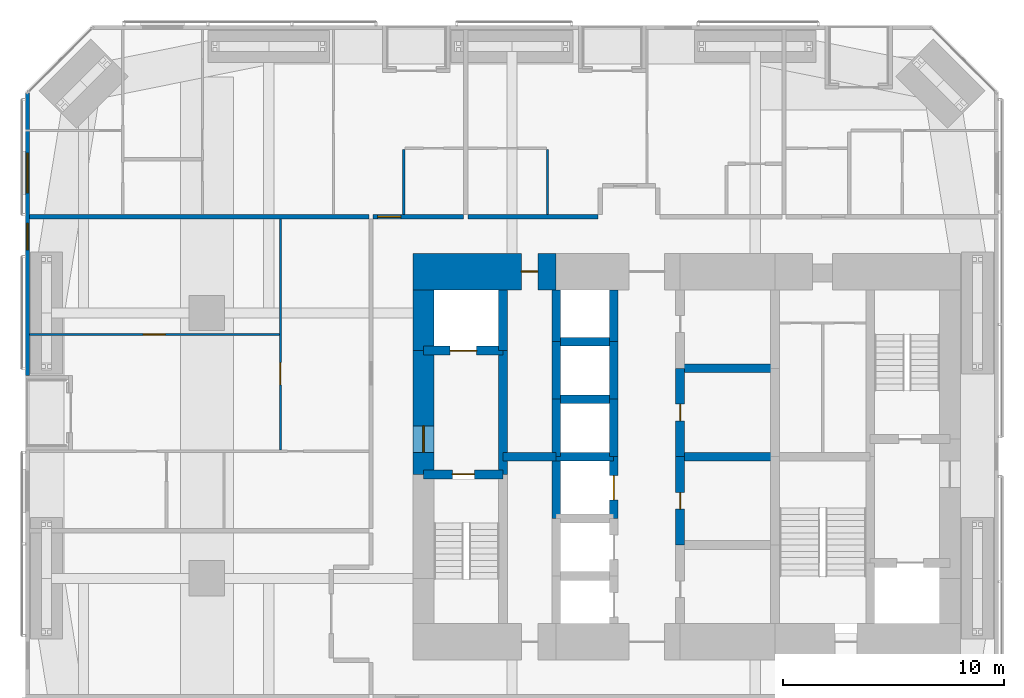
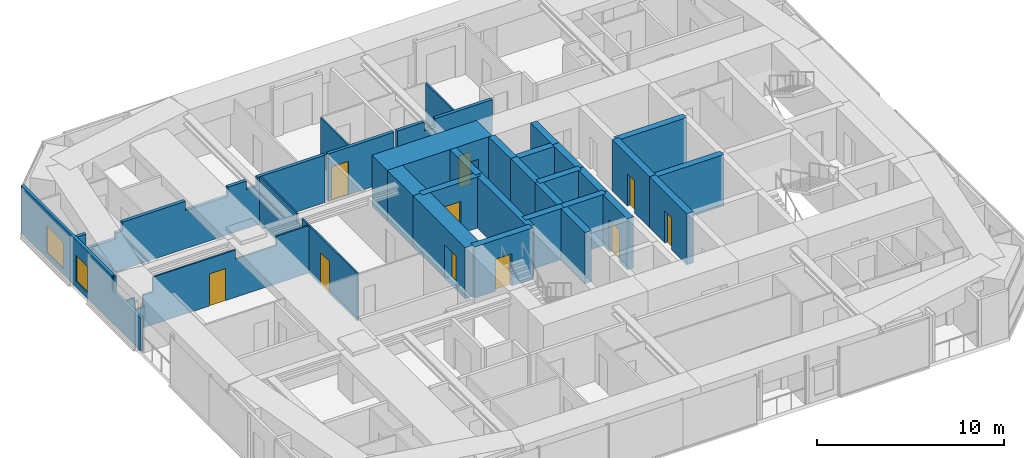
# One storey, part 19 of 24: 31 walls, 10 doors, 2 windows, 12 openings.
"""IFC4 building model written with IfcOpenShell, lengths in metres."""

from ifc_helpers import new_model, si_unit, direction, frame, frame_2d, origin, place, context, subcontext, project, spatial, polyline, rectangle, outline, extrude, material, layer, layer_set, constituent, constituent_set, type_object, element, fill, save


model = new_model("IFC4")

# Units and contexts
model_context = context("Model", 3, precision=1e-05, world=origin(), true_north=direction((0.0, 1.0)))
body_context = subcontext(model_context, "Body", "Model", "MODEL_VIEW")
ifc_project = project(units=[si_unit("LENGTHUNIT", "METRE"), si_unit("AREAUNIT", "SQUARE_METRE"), si_unit("VOLUMEUNIT", "CUBIC_METRE"), si_unit("PLANEANGLEUNIT", "RADIAN"), si_unit("MASSUNIT", "GRAM", prefix="KILO")], contexts=[model_context])

# Site, building, storey
site_placement = place(None, origin())
site = spatial("IfcSite", under=ifc_project, at=site_placement, CompositionType="ELEMENT")
building_placement = place(site_placement, origin())
building = spatial("IfcBuilding", under=site, at=building_placement, Name="Jalousie Tower", CompositionType="ELEMENT")
storey_placement = place(building_placement, frame((0.0, 0.0, 47.800048828125)))
storey = spatial("IfcBuildingStorey", under=building, at=storey_placement, Name="L12", CompositionType="ELEMENT", Elevation=47.800048828125)

# Wall, opening, door
ifc_material_1 = material(Name="Concrete f'c 120 MPa", Category="concrete")
ifc_layer_1 = layer(ifc_material_1, 1.64990234375)
ifc_layer_set_1 = layer_set([ifc_layer_1], Name="Concrete f'c 120 MPa")
wall_type_1 = type_object("IfcWallType", Name="CORE WALL 1650", PredefinedType="SHEAR", material=ifc_layer_set_1)
wall_1_placement = place(storey_placement, frame((26.0, 26.875, 0.0), z_axis=(0.0, 0.0, 1.0), x_axis=(-1.0, 0.0, 0.0)))
wall_1 = element("IfcWall", 1, at=wall_1_placement, inside=storey, type_object=wall_type_1, Name="Core wall ND L12", PredefinedType="SHEAR", context=body_context, shape_type="SweptSolid", body=[
    extrude(rectangle(XDim=6.47509765625, YDim=1.64990234375, at=frame_2d((3.237548828125, 0.0))), origin(), (0.0, 0.0, 1.0), 3.349853515625),
])
opening_1_placement = place(wall_1_placement, frame((0.824951171875, 0.0, 0.0)))
opening_1 = element("IfcOpeningElement", 2, at=opening_1_placement, cuts=wall_1, Name="Opening D16", PredefinedType="OPENING", context=body_context, shape_type="SweptSolid", body=[
    extrude(rectangle(XDim=0.75, YDim=2.10009765625, at=frame_2d((0.375, 1.050048828125))), frame((0.0, 0.8349609375, 0.0), z_axis=(0.0, -1.0, 0.0), x_axis=(1.0, 0.0, 0.0)), (0.0, 0.0, 1.0), 1.669921875),
])
ifc_material_2 = material(Name="Steel fire door", Category="steel")
door_type_1 = type_object("IfcDoorType", Name="RISER DOOR 750", OperationType="SINGLE_SWING_LEFT", PredefinedType="DOOR", material=ifc_material_2)
door_1_placement = place(opening_1_placement, origin())
door_1 = element("IfcDoor", 3, at=door_1_placement, inside=storey, type_object=door_type_1, Name="North riser door", OperationType="SINGLE_SWING_RIGHT", OverallHeight=2.10009765625, OverallWidth=0.75, PredefinedType="DOOR", context=body_context, shape_type="SweptSolid", body=[
    extrude(rectangle(XDim=0.75, YDim=2.10009765625, at=frame_2d((0.375, 1.050048828125))), frame((0.0, 0.02490234375, 0.0), z_axis=(0.0, -1.0, 0.0), x_axis=(1.0, 0.0, 0.0)), (0.0, 0.0, 1.0), 0.050048828125),
])
fill(opening_1, door_1)

# Walls
ifc_material_3 = material(Name="Concrete f'c 120 MPa", Category="concrete")
ifc_layer_2 = layer(ifc_material_3, 0.39990234375)
ifc_layer_set_2 = layer_set([ifc_layer_2], Name="Concrete f'c 120 MPa")
wall_type_2 = type_object("IfcWallType", Name="CORE WALL 400", PredefinedType="SHEAR", material=ifc_layer_set_2)
wall_2_placement = place(storey_placement, frame((23.60009765625, 17.699951171875, 0.0), z_axis=(0.0, 0.0, 1.0), x_axis=(0.0, 1.0, 0.0)))
element("IfcWall", 4, at=wall_2_placement, inside=storey, type_object=wall_type_2, Name="Core wall X23.6B L12", PredefinedType="SHEAR", context=body_context, shape_type="SweptSolid", body=[
    extrude(rectangle(XDim=5.60009765625, YDim=0.39990234375, at=frame_2d((2.800048828125, 0.0))), origin(), (0.0, 0.0, 1.0), 3.349853515625),
])
wall_3_placement = place(storey_placement, frame((23.60009765625, 23.300048828125, 0.0), z_axis=(0.0, 0.0, 1.0), x_axis=(0.0, 1.0, 0.0)))
element("IfcWall", 5, at=wall_3_placement, inside=storey, type_object=wall_type_2, Name="Core wall X23.6C L12", PredefinedType="SHEAR", context=body_context, shape_type="SweptSolid", body=[
    extrude(rectangle(XDim=2.75, YDim=0.39990234375, at=frame_2d((1.375, 0.0))), origin(), (0.0, 0.0, 1.0), 3.349853515625),
])
wall_4_placement = place(storey_placement, frame((26.0, 15.699951171875, 0.0), z_axis=(0.0, 0.0, 1.0), x_axis=(0.0, 1.0, 0.0)))
element("IfcWall", 6, at=wall_4_placement, inside=storey, type_object=wall_type_2, Name="Core wall X26C L12", PredefinedType="SHEAR", context=body_context, shape_type="SweptSolid", body=[
    extrude(rectangle(XDim=2.800048828125, YDim=0.39990234375, at=frame_2d((1.39990234375, 0.0))), origin(), (0.0, 0.0, 1.0), 3.349853515625),
])
wall_5_placement = place(storey_placement, frame((26.0, 18.5, 0.0), z_axis=(0.0, 0.0, 1.0), x_axis=(0.0, 1.0, 0.0)))
element("IfcWall", 7, at=wall_5_placement, inside=storey, type_object=wall_type_2, Name="Core wall X26D L12", PredefinedType="SHEAR", context=body_context, shape_type="SweptSolid", body=[
    extrude(rectangle(XDim=2.60009765625, YDim=0.39990234375, at=frame_2d((1.300048828125, 0.0))), origin(), (0.0, 0.0, 1.0), 3.349853515625),
])
wall_6_placement = place(storey_placement, frame((26.0, 21.10009765625, 0.0), z_axis=(0.0, 0.0, 1.0), x_axis=(0.0, 1.0, 0.0)))
element("IfcWall", 8, at=wall_6_placement, inside=storey, type_object=wall_type_2, Name="Core wall X26E L12", PredefinedType="SHEAR", context=body_context, shape_type="SweptSolid", body=[
    extrude(rectangle(XDim=2.599853515625, YDim=0.39990234375, at=frame_2d((1.2998046875, 0.0))), origin(), (0.0, 0.0, 1.0), 3.349853515625),
])
wall_7_placement = place(storey_placement, frame((26.0, 23.699951171875, 0.0), z_axis=(0.0, 0.0, 1.0), x_axis=(0.0, 1.0, 0.0)))
element("IfcWall", 9, at=wall_7_placement, inside=storey, type_object=wall_type_2, Name="Core wall X26F L12", PredefinedType="SHEAR", context=body_context, shape_type="SweptSolid", body=[
    extrude(rectangle(XDim=2.35009765625, YDim=0.39990234375, at=frame_2d((1.175048828125, 0.0))), origin(), (0.0, 0.0, 1.0), 3.349853515625),
])

# Wall, opening, door
wall_8_placement = place(storey_placement, frame((28.60009765625, 15.699951171875, 0.0), z_axis=(0.0, 0.0, 1.0), x_axis=(0.0, 1.0, 0.0)))
wall_8 = element("IfcWall", 10, at=wall_8_placement, inside=storey, type_object=wall_type_2, Name="Core wall X28.6C L12", PredefinedType="SHEAR", context=body_context, shape_type="SweptSolid", body=[
    extrude(rectangle(XDim=2.800048828125, YDim=0.39990234375, at=frame_2d((1.39990234375, 0.0))), origin(), (0.0, 0.0, 1.0), 3.349853515625),
])
opening_2_placement = place(wall_8_placement, frame((0.85009765625, 0.0, 0.0)))
opening_2 = element("IfcOpeningElement", 11, at=opening_2_placement, cuts=wall_8, Name="Opening LD1", PredefinedType="OPENING", context=body_context, shape_type="SweptSolid", body=[
    extrude(rectangle(XDim=1.10009765625, YDim=2.10009765625, at=frame_2d((0.550048828125, 1.050048828125))), frame((0.0, 0.2099609375, 0.0), z_axis=(0.0, -1.0, 0.0), x_axis=(1.0, 0.0, 0.0)), (0.0, 0.0, 1.0), 0.419921875),
])
ifc_material_4 = material(Name="Steel lift landing door", Category="steel")
door_type_2 = type_object("IfcDoorType", Name="LIFT LANDING DOOR 1100", OperationType="SLIDING_TO_LEFT", PredefinedType="DOOR", material=ifc_material_4)
door_2_placement = place(opening_2_placement, origin())
door_2 = element("IfcDoor", 12, at=door_2_placement, inside=storey, type_object=door_type_2, Name="Lift P3 landing door", OperationType="SLIDING_TO_LEFT", OverallHeight=2.10009765625, OverallWidth=1.10009765625, PredefinedType="DOOR", context=body_context, shape_type="SweptSolid", body=[
    extrude(rectangle(XDim=1.10009765625, YDim=2.10009765625, at=frame_2d((0.550048828125, 1.050048828125))), frame((0.0, 0.02490234375, 0.0), z_axis=(0.0, -1.0, 0.0), x_axis=(1.0, 0.0, 0.0)), (0.0, 0.0, 1.0), 0.050048828125),
])
fill(opening_2, door_2)

# Walls
wall_9_placement = place(storey_placement, frame((28.60009765625, 18.5, 0.0), z_axis=(0.0, 0.0, 1.0), x_axis=(0.0, 1.0, 0.0)))
element("IfcWall", 13, at=wall_9_placement, inside=storey, type_object=wall_type_2, Name="Core wall X28.6D L12", PredefinedType="SHEAR", context=body_context, shape_type="SweptSolid", body=[
    extrude(rectangle(XDim=2.60009765625, YDim=0.39990234375, at=frame_2d((1.300048828125, 0.0))), origin(), (0.0, 0.0, 1.0), 3.349853515625),
])
wall_10_placement = place(storey_placement, frame((28.60009765625, 21.10009765625, 0.0), z_axis=(0.0, 0.0, 1.0), x_axis=(0.0, 1.0, 0.0)))
element("IfcWall", 14, at=wall_10_placement, inside=storey, type_object=wall_type_2, Name="Core wall X28.6E L12", PredefinedType="SHEAR", context=body_context, shape_type="SweptSolid", body=[
    extrude(rectangle(XDim=2.599853515625, YDim=0.39990234375, at=frame_2d((1.2998046875, 0.0))), origin(), (0.0, 0.0, 1.0), 3.349853515625),
])
wall_11_placement = place(storey_placement, frame((28.60009765625, 23.699951171875, 0.0), z_axis=(0.0, 0.0, 1.0), x_axis=(0.0, 1.0, 0.0)))
element("IfcWall", 15, at=wall_11_placement, inside=storey, type_object=wall_type_2, Name="Core wall X28.6F L12", PredefinedType="SHEAR", context=body_context, shape_type="SweptSolid", body=[
    extrude(rectangle(XDim=2.35009765625, YDim=0.39990234375, at=frame_2d((1.175048828125, 0.0))), origin(), (0.0, 0.0, 1.0), 3.349853515625),
])

# Wall, opening, door
wall_12_placement = place(storey_placement, frame((31.60009765625, 14.5, 0.0), z_axis=(0.0, 0.0, 1.0), x_axis=(0.0, 1.0, 0.0)))
wall_12 = element("IfcWall", 16, at=wall_12_placement, inside=storey, type_object=wall_type_2, Name="Core wall X31.6B L12", PredefinedType="SHEAR", context=body_context, shape_type="SweptSolid", body=[
    extrude(rectangle(XDim=4.0, YDim=0.39990234375, at=frame_2d((2.0, 0.0))), origin(), (0.0, 0.0, 1.0), 3.349853515625),
])
opening_3_placement = place(wall_12_placement, frame((1.625, 0.0, 0.0)))
opening_3 = element("IfcOpeningElement", 17, at=opening_3_placement, cuts=wall_12, Name="Opening D16", PredefinedType="OPENING", context=body_context, shape_type="SweptSolid", body=[
    extrude(rectangle(XDim=0.75, YDim=2.10009765625, at=frame_2d((0.375, 1.050048828125))), frame((0.0, 0.2099609375, 0.0), z_axis=(0.0, -1.0, 0.0), x_axis=(1.0, 0.0, 0.0)), (0.0, 0.0, 1.0), 0.419921875),
])
door_3_placement = place(opening_3_placement, frame((0.75, 0.0, 0.0), z_axis=(0.0, 0.0, 1.0), x_axis=(-1.0, 0.0, 0.0)))
door_3 = element("IfcDoor", 18, at=door_3_placement, inside=storey, type_object=door_type_1, Name="Electrical Room door", OperationType="SINGLE_SWING_LEFT", OverallHeight=2.10009765625, OverallWidth=0.75, PredefinedType="DOOR", context=body_context, shape_type="SweptSolid", body=[
    extrude(rectangle(XDim=0.75, YDim=2.10009765625, at=frame_2d((0.375, 1.050048828125))), frame((0.0, 0.02490234375, 0.0), z_axis=(0.0, -1.0, 0.0), x_axis=(1.0, 0.0, 0.0)), (0.0, 0.0, 1.0), 0.050048828125),
])
fill(opening_3, door_3)

wall_13_placement = place(storey_placement, frame((31.60009765625, 18.5, 0.0), z_axis=(0.0, 0.0, 1.0), x_axis=(0.0, 1.0, 0.0)))
wall_13 = element("IfcWall", 19, at=wall_13_placement, inside=storey, type_object=wall_type_2, Name="Core wall X31.6C L12", PredefinedType="SHEAR", context=body_context, shape_type="SweptSolid", body=[
    extrude(rectangle(XDim=4.0, YDim=0.39990234375, at=frame_2d((2.0, 0.0))), origin(), (0.0, 0.0, 1.0), 3.349853515625),
])
opening_4_placement = place(wall_13_placement, frame((1.625, 0.0, 0.0)))
opening_4 = element("IfcOpeningElement", 20, at=opening_4_placement, cuts=wall_13, Name="Opening D16", PredefinedType="OPENING", context=body_context, shape_type="SweptSolid", body=[
    extrude(rectangle(XDim=0.75, YDim=2.10009765625, at=frame_2d((0.375, 1.050048828125))), frame((0.0, 0.2099609375, 0.0), z_axis=(0.0, -1.0, 0.0), x_axis=(1.0, 0.0, 0.0)), (0.0, 0.0, 1.0), 0.419921875),
])
door_4_placement = place(opening_4_placement, frame((0.75, 0.0, 0.0), z_axis=(0.0, 0.0, 1.0), x_axis=(-1.0, 0.0, 0.0)))
door_4 = element("IfcDoor", 21, at=door_4_placement, inside=storey, type_object=door_type_1, Name="Telecom Room door", OperationType="SINGLE_SWING_LEFT", OverallHeight=2.10009765625, OverallWidth=0.75, PredefinedType="DOOR", context=body_context, shape_type="SweptSolid", body=[
    extrude(rectangle(XDim=0.75, YDim=2.10009765625, at=frame_2d((0.375, 1.050048828125))), frame((0.0, 0.02490234375, 0.0), z_axis=(0.0, -1.0, 0.0), x_axis=(1.0, 0.0, 0.0)), (0.0, 0.0, 1.0), 0.050048828125),
])
fill(opening_4, door_4)

wall_14_placement = place(storey_placement, frame((20.0, 17.699951171875, 0.0), z_axis=(0.0, 0.0, 1.0), x_axis=(1.0, 0.0, 0.0)))
wall_14 = element("IfcWall", 22, at=wall_14_placement, inside=storey, type_object=wall_type_2, Name="Core wall Y20-17.7 L12", PredefinedType="SHEAR", context=body_context, shape_type="SweptSolid", body=[
    extrude(rectangle(XDim=3.60009765625, YDim=0.39990234375, at=frame_2d((1.800048828125, 0.0))), origin(), (0.0, 0.0, 1.0), 3.349853515625),
])
opening_5_placement = place(wall_14_placement, frame((1.300048828125, 0.0, 0.0)))
opening_5 = element("IfcOpeningElement", 23, at=opening_5_placement, cuts=wall_14, Name="Opening D10", PredefinedType="OPENING", context=body_context, shape_type="SweptSolid", body=[
    extrude(rectangle(XDim=1.0, YDim=2.10009765625, at=frame_2d((0.5, 1.050048828125))), frame((0.0, 0.2099609375, 0.0), z_axis=(0.0, -1.0, 0.0), x_axis=(1.0, 0.0, 0.0)), (0.0, 0.0, 1.0), 0.419921875),
])
ifc_material_5 = material(Name="Steel fire door", Category="steel")
door_type_3 = type_object("IfcDoorType", Name="STAIR DOOR 1000", OperationType="SINGLE_SWING_LEFT", PredefinedType="DOOR", material=ifc_material_5)
door_5_placement = place(opening_5_placement, frame((1.0, 0.0, 0.0), z_axis=(0.0, 0.0, 1.0), x_axis=(-1.0, 0.0, 0.0)))
door_5 = element("IfcDoor", 24, at=door_5_placement, inside=storey, type_object=door_type_3, Name="Exit stair A door", OperationType="SINGLE_SWING_RIGHT", OverallHeight=2.10009765625, OverallWidth=1.0, PredefinedType="DOOR", context=body_context, shape_type="SweptSolid", body=[
    extrude(rectangle(XDim=1.0, YDim=2.10009765625, at=frame_2d((0.5, 1.050048828125))), frame((0.0, 0.02490234375, 0.0), z_axis=(0.0, -1.0, 0.0), x_axis=(1.0, 0.0, 0.0)), (0.0, 0.0, 1.0), 0.050048828125),
])
fill(opening_5, door_5)

wall_15_placement = place(storey_placement, frame((20.0, 23.300048828125, 0.0), z_axis=(0.0, 0.0, 1.0), x_axis=(1.0, 0.0, 0.0)))
wall_15 = element("IfcWall", 25, at=wall_15_placement, inside=storey, type_object=wall_type_2, Name="Core wall Y20-23.3 L12", PredefinedType="SHEAR", context=body_context, shape_type="SweptSolid", body=[
    extrude(rectangle(XDim=3.60009765625, YDim=0.39990234375, at=frame_2d((1.800048828125, 0.0))), origin(), (0.0, 0.0, 1.0), 3.349853515625),
])
opening_6_placement = place(wall_15_placement, frame((1.199951171875, 0.0, 0.0)))
opening_6 = element("IfcOpeningElement", 26, at=opening_6_placement, cuts=wall_15, Name="Opening LD2", PredefinedType="OPENING", context=body_context, shape_type="SweptSolid", body=[
    extrude(rectangle(XDim=1.199951171875, YDim=2.10009765625, at=frame_2d((0.60009765625, 1.050048828125))), frame((0.0, 0.2099609375, 0.0), z_axis=(0.0, -1.0, 0.0), x_axis=(1.0, 0.0, 0.0)), (0.0, 0.0, 1.0), 0.419921875),
])
ifc_material_6 = material(Name="Steel lift landing door", Category="steel")
door_type_4 = type_object("IfcDoorType", Name="LIFT LANDING DOOR 1200", OperationType="SLIDING_TO_LEFT", PredefinedType="DOOR", material=ifc_material_6)
door_6_placement = place(opening_6_placement, origin())
door_6 = element("IfcDoor", 27, at=door_6_placement, inside=storey, type_object=door_type_4, Name="Lift F1 landing door", OperationType="SLIDING_TO_LEFT", OverallHeight=2.10009765625, OverallWidth=1.199951171875, PredefinedType="DOOR", context=body_context, shape_type="SweptSolid", body=[
    extrude(rectangle(XDim=1.199951171875, YDim=2.10009765625, at=frame_2d((0.60009765625, 1.050048828125))), frame((0.0, 0.02490234375, 0.0), z_axis=(0.0, -1.0, 0.0), x_axis=(1.0, 0.0, 0.0)), (0.0, 0.0, 1.0), 0.050048828125),
])
fill(opening_6, door_6)

# Walls
wall_16_placement = place(storey_placement, frame((23.60009765625, 18.5, 0.0), z_axis=(0.0, 0.0, 1.0), x_axis=(1.0, 0.0, 0.0)))
element("IfcWall", 28, at=wall_16_placement, inside=storey, type_object=wall_type_2, Name="Core wall Y23.6-18.5 L12", PredefinedType="SHEAR", context=body_context, shape_type="SweptSolid", body=[
    extrude(rectangle(XDim=2.39990234375, YDim=0.39990234375, at=frame_2d((1.199951171875, 0.0))), origin(), (0.0, 0.0, 1.0), 3.349853515625),
])
for number, where, z_axis, x_axis, name in (
    (29, (26.0, 18.5, 0.0), (0.0, 0.0, 1.0), (1.0, 0.0, 0.0), "Core wall Y26-18.5 L12"),
    (30, (26.0, 21.10009765625, 0.0), (0.0, 0.0, 1.0), (1.0, 0.0, 0.0), "Core wall Y26-21.1 L12"),
    (31, (26.0, 23.699951171875, 0.0), (0.0, 0.0, 1.0), (1.0, 0.0, 0.0), "Core wall Y26-23.7 L12"),
):
    element("IfcWall", number, at=place(storey_placement, frame(where, z_axis=z_axis, x_axis=x_axis)), inside=storey, type_object=wall_type_2, Name=name, PredefinedType="SHEAR", context=body_context, shape_type="SweptSolid", body=[
        extrude(rectangle(XDim=2.60009765625, YDim=0.39990234375, at=frame_2d((1.300048828125, 0.0))), origin(), (0.0, 0.0, 1.0), 3.349853515625),
    ])
for number, where, z_axis, x_axis, name in (
    (32, (31.60009765625, 18.5, 0.0), (0.0, 0.0, 1.0), (1.0, 0.0, 0.0), "Core wall Y31.6-18.5 L12"),
    (33, (31.60009765625, 22.5, 0.0), (0.0, 0.0, 1.0), (1.0, 0.0, 0.0), "Core wall Y31.6-22.5 L12"),
):
    element("IfcWall", number, at=place(storey_placement, frame(where, z_axis=z_axis, x_axis=x_axis)), inside=storey, type_object=wall_type_2, Name=name, PredefinedType="SHEAR", context=body_context, shape_type="SweptSolid", body=[
        extrude(rectangle(XDim=4.2998046875, YDim=0.39990234375, at=frame_2d((2.14990234375, 0.0))), origin(), (0.0, 0.0, 1.0), 3.349853515625),
    ])
ifc_material_7 = material(Name="Concrete f'c 120 MPa", Category="concrete")
ifc_layer_3 = layer(ifc_material_7, 0.949951171875)
ifc_layer_set_3 = layer_set([ifc_layer_3], Name="Concrete f'c 120 MPa")
wall_type_3 = type_object("IfcWallType", Name="CORE WALL 950", PredefinedType="SHEAR", material=ifc_layer_set_3)
wall_17_placement = place(storey_placement, frame((20.0, 26.050048828125, 0.0), z_axis=(0.0, 0.0, 1.0), x_axis=(0.0, -1.0, 0.0)))
element("IfcWall", 34, at=wall_17_placement, inside=storey, type_object=wall_type_3, Name="Core wall WA L12", PredefinedType="SHEAR", context=body_context, shape_type="SweptSolid", body=[
    extrude(rectangle(XDim=2.75, YDim=0.949951171875, at=frame_2d((1.375, 0.0))), origin(), (0.0, 0.0, 1.0), 3.349853515625),
])

# Wall, opening, door
wall_18_placement = place(storey_placement, frame((20.0, 23.300048828125, 0.0), z_axis=(0.0, 0.0, 1.0), x_axis=(0.0, -1.0, 0.0)))
wall_18 = element("IfcWall", 35, at=wall_18_placement, inside=storey, type_object=wall_type_3, Name="Core wall WB L12", PredefinedType="SHEAR", context=body_context, shape_type="SweptSolid", body=[
    extrude(rectangle(XDim=5.60009765625, YDim=0.949951171875, at=frame_2d((2.800048828125, 0.0))), origin(), (0.0, 0.0, 1.0), 3.349853515625),
])
opening_7_placement = place(wall_18_placement, frame((3.39990234375, 0.0, 0.0)))
opening_7 = element("IfcOpeningElement", 36, at=opening_7_placement, cuts=wall_18, Name="Opening D11", PredefinedType="OPENING", context=body_context, shape_type="SweptSolid", body=[
    extrude(rectangle(XDim=1.199951171875, YDim=2.199951171875, at=frame_2d((0.60009765625, 1.10009765625))), frame((0.0, 0.48486328125, 0.0), z_axis=(0.0, -1.0, 0.0), x_axis=(1.0, 0.0, 0.0)), (0.0, 0.0, 1.0), 0.969970703125),
])
ifc_material_8 = material(Name="Steel fire door", Category="steel")
door_type_5 = type_object("IfcDoorType", Name="FIRE DOOR 1200", OperationType="SINGLE_SWING_LEFT", PredefinedType="DOOR", material=ifc_material_8)
door_7_placement = place(opening_7_placement, origin())
door_7 = element("IfcDoor", 37, at=door_7_placement, inside=storey, type_object=door_type_5, Name="Fire-fighting lobby A door", OperationType="SINGLE_SWING_RIGHT", OverallHeight=2.199951171875, OverallWidth=1.199951171875, PredefinedType="DOOR", context=body_context, shape_type="SweptSolid", body=[
    extrude(rectangle(XDim=1.199951171875, YDim=2.199951171875, at=frame_2d((0.60009765625, 1.10009765625))), frame((0.0, 0.02490234375, 0.0), z_axis=(0.0, -1.0, 0.0), x_axis=(1.0, 0.0, 0.0)), (0.0, 0.0, 1.0), 0.050048828125),
])
fill(opening_7, door_7)

ifc_material_9 = material(Name="Concrete block ASTM C90", Category="concrete")
ifc_constituent_1 = constituent(ifc_material_9, Name="Body")
ifc_material_10 = material(Name="Render")
ifc_constituent_2 = constituent(ifc_material_10, Name="Finish")
ifc_constituent_set_1 = constituent_set(constituents=[ifc_constituent_1, ifc_constituent_2])
wall_type_4 = type_object("IfcWallType", Name="CORRIDOR WALL 200", PredefinedType="PARTITIONING", material=ifc_constituent_set_1)
wall_19_placement = place(storey_placement, frame((17.72509765625, 29.35009765625, 0.0), z_axis=(0.0, 0.0, 1.0), x_axis=(1.0, 0.0, 0.0)))
wall_19 = element("IfcWall", 38, at=wall_19_placement, inside=storey, type_object=wall_type_4, Name="Corridor Wall 200 L12", PredefinedType="PARTITIONING", context=body_context, shape_type="SweptSolid", body=[
    extrude(rectangle(XDim=4.074951171875, YDim=0.199951171875, at=frame_2d((2.03759765625, 0.0))), origin(), (0.0, 0.0, 1.0), 3.10986328125),
])
opening_8_placement = place(wall_19_placement, frame((0.199951171875, 0.0, 0.0)))
opening_8 = element("IfcOpeningElement", 39, at=opening_8_placement, cuts=wall_19, Name="Opening D1", PredefinedType="OPENING", context=body_context, shape_type="SweptSolid", body=[
    extrude(rectangle(XDim=1.050048828125, YDim=2.199951171875, at=frame_2d((0.52490234375, 1.10009765625))), frame((0.0, 0.10986328125, 0.0), z_axis=(0.0, -1.0, 0.0), x_axis=(1.0, 0.0, 0.0)), (0.0, 0.0, 1.0), 0.219970703125),
])
ifc_material_11 = material(Name="Timber fire door", Category="wood")
door_type_6 = type_object("IfcDoorType", Name="APARTMENT ENTRANCE DOOR 1050", OperationType="SINGLE_SWING_LEFT", PredefinedType="DOOR", material=ifc_material_11)
door_8_placement = place(opening_8_placement, origin())
door_8 = element("IfcDoor", 40, at=door_8_placement, inside=storey, type_object=door_type_6, Name="Apartment 1203 entrance", OperationType="SINGLE_SWING_RIGHT", OverallHeight=2.199951171875, OverallWidth=1.050048828125, PredefinedType="DOOR", context=body_context, shape_type="SweptSolid", body=[
    extrude(rectangle(XDim=1.050048828125, YDim=2.199951171875, at=frame_2d((0.52490234375, 1.10009765625))), frame((0.0, 0.02490234375, 0.0), z_axis=(0.0, -1.0, 0.0), x_axis=(1.0, 0.0, 0.0)), (0.0, 0.0, 1.0), 0.050048828125),
])
fill(opening_8, door_8)

# Wall
wall_20_placement = place(storey_placement, frame((22.0, 29.35009765625, 0.0), z_axis=(0.0, 0.0, 1.0), x_axis=(1.0, 0.0, 0.0)))
element("IfcWall", 41, at=wall_20_placement, inside=storey, type_object=wall_type_4, Name="Corridor Wall 200 L12", PredefinedType="PARTITIONING", context=body_context, shape_type="SweptSolid", body=[
    extrude(outline(polyline([(0.0, 0.0), (5.89990234375, 0.0), (5.89990234375, 3.10986328125), (2.33740234375, 3.10986328125), (2.33740234375, 2.541015625), (1.66259765625, 2.541015625), (1.66259765625, 3.10986328125), (0.0, 3.10986328125), (0.0, 0.0)])), frame((0.0, 0.10009765625, 0.0), z_axis=(0.0, -1.0, 0.0), x_axis=(1.0, 0.0, 0.0)), (0.0, 0.0, 1.0), 0.199951171875),
])

# Wall, openings, windows
ifc_material_12 = material(Name="Concrete f'c 40 MPa", Category="concrete")
ifc_constituent_3 = constituent(ifc_material_12, Name="Body")
ifc_material_13 = material(Name="Render, pastel coral")
ifc_constituent_4 = constituent(ifc_material_13, Name="Finish")
ifc_constituent_set_2 = constituent_set(constituents=[ifc_constituent_3, ifc_constituent_4])
wall_type_5 = type_object("IfcWallType", Name="EXTERNAL WALL 175 CORAL RENDER", PredefinedType="SOLIDWALL", material=ifc_constituent_set_2)
wall_21_placement = place(storey_placement, frame((2.08740234375, 34.94873046875, 0.0), z_axis=(0.0, 0.0, 1.0), x_axis=(0.0, -1.0, 0.0)))
wall_21 = element("IfcWall", 42, at=wall_21_placement, inside=storey, type_object=wall_type_5, Name="External Wall 175 Coral Render L12", PredefinedType="SOLIDWALL", context=body_context, shape_type="SweptSolid", body=[
    extrude(outline(polyline([(0.0, 0.0), (12.773681640625, 0.0), (12.773681640625, 2.14990234375), (9.94873046875, 2.14990234375), (9.94873046875, 3.10986328125), (9.822998046875, 3.10986328125), (9.822998046875, 2.14990234375), (9.72998046875, 2.14990234375), (9.72998046875, 3.10986328125), (0.0, 3.10986328125), (0.0, 0.0)])), frame((0.0, 0.08740234375, 0.0), z_axis=(0.0, -1.0, 0.0), x_axis=(1.0, 0.0, 0.0)), (0.0, 0.0, 1.0), 0.175048828125),
])
opening_9_placement = place(wall_21_placement, frame((2.72216796875, 0.0, 0.39990234375)))
opening_9 = element("IfcOpeningElement", 43, at=opening_9_placement, cuts=wall_21, Name="Opening W-BED170", PredefinedType="OPENING", context=body_context, shape_type="SweptSolid", body=[
    extrude(rectangle(XDim=1.800048828125, YDim=1.699951171875, at=frame_2d((0.89990234375, 0.85009765625))), frame((0.0, 0.097412109375, 0.0), z_axis=(0.0, -1.0, 0.0), x_axis=(1.0, 0.0, 0.0)), (0.0, 0.0, 1.0), 0.195068359375),
])
opening_10_placement = place(wall_21_placement, frame((5.898681640625, 0.0, 0.39990234375)))
opening_10 = element("IfcOpeningElement", 44, at=opening_10_placement, cuts=wall_21, Name="Opening W-COR170", PredefinedType="OPENING", context=body_context, shape_type="SweptSolid", body=[
    extrude(rectangle(XDim=1.199951171875, YDim=1.699951171875, at=frame_2d((0.60009765625, 0.85009765625))), frame((0.0, 0.097412109375, 0.0), z_axis=(0.0, -1.0, 0.0), x_axis=(1.0, 0.0, 0.0)), (0.0, 0.0, 1.0), 0.195068359375),
])
ifc_material_14 = material(Name="Aluminium frame, impact-rated glazing", Category="aluminium")
window_type_1 = type_object("IfcWindowType", Name="WINDOW BED 1800x1700", PartitioningType="SINGLE_PANEL", PredefinedType="WINDOW", material=ifc_material_14)
window_1_placement = place(opening_9_placement, origin())
window_1 = element("IfcWindow", 45, at=window_1_placement, inside=storey, type_object=window_type_1, Name="Apartment 1203 bedroom 1 window", OverallHeight=1.699951171875, OverallWidth=1.800048828125, PartitioningType="SINGLE_PANEL", PredefinedType="WINDOW", context=body_context, shape_type="SweptSolid", body=[
    extrude(rectangle(XDim=1.800048828125, YDim=1.699951171875, at=frame_2d((0.89990234375, 0.85009765625))), frame((0.0, 0.030029296875, 0.0), z_axis=(0.0, -1.0, 0.0), x_axis=(1.0, 0.0, 0.0)), (0.0, 0.0, 1.0), 0.06005859375),
])
fill(opening_9, window_1)
ifc_material_15 = material(Name="Aluminium frame, impact-rated glazing", Category="aluminium")
window_type_2 = type_object("IfcWindowType", Name="WINDOW COR 1200x1700", PartitioningType="SINGLE_PANEL", PredefinedType="WINDOW", material=ifc_material_15)
window_2_placement = place(opening_10_placement, origin())
window_2 = element("IfcWindow", 46, at=window_2_placement, inside=storey, type_object=window_type_2, Name="Apartment 1206 dining room window", OverallHeight=1.699951171875, OverallWidth=1.199951171875, PartitioningType="SINGLE_PANEL", PredefinedType="WINDOW", context=body_context, shape_type="SweptSolid", body=[
    extrude(rectangle(XDim=1.199951171875, YDim=1.699951171875, at=frame_2d((0.60009765625, 0.85009765625))), frame((0.0, 0.030029296875, 0.0), z_axis=(0.0, -1.0, 0.0), x_axis=(1.0, 0.0, 0.0)), (0.0, 0.0, 1.0), 0.06005859375),
])
fill(opening_10, window_2)

# Walls
ifc_material_16 = material(Name="Gypsum board", Category="gypsum")
ifc_constituent_5 = constituent(ifc_material_16, Name="Body")
ifc_material_17 = material(Name="Light-gauge steel studs ASTM A653 SS Grade 33", Category="steel")
ifc_constituent_6 = constituent(ifc_material_17, Name="Framing")
ifc_constituent_set_3 = constituent_set(constituents=[ifc_constituent_5, ifc_constituent_6])
wall_type_6 = type_object("IfcWallType", Name="PARTITION 100", PredefinedType="PARTITIONING", material=ifc_constituent_set_3)
for number, where, z_axis, x_axis, name in (
    (47, (19.10009765625, 32.39990234375, 0.0), (0.0, 0.0, 1.0), (0.0, -1.0, 0.0), "Partition 100 L12"),
    (48, (25.60009765625, 32.39990234375, 0.0), (0.0, 0.0, 1.0), (0.0, -1.0, 0.0), "Partition 100 L12"),
):
    element("IfcWall", number, at=place(storey_placement, frame(where, z_axis=z_axis, x_axis=x_axis)), inside=storey, type_object=wall_type_6, Name=name, PredefinedType="PARTITIONING", context=body_context, shape_type="SweptSolid", body=[
        extrude(rectangle(XDim=2.949951171875, YDim=0.10009765625, at=frame_2d((1.47509765625, 0.0))), origin(), (0.0, 0.0, 1.0), 3.10986328125),
    ])

# Wall, opening, door
wall_22_placement = place(storey_placement, frame((13.52490234375, 18.800048828125, 0.0), z_axis=(0.0, 0.0, 1.0), x_axis=(0.0, 1.0, 0.0)))
wall_22 = element("IfcWall", 49, at=wall_22_placement, inside=storey, type_object=wall_type_6, Name="Partition 100 L12", PredefinedType="PARTITIONING", context=body_context, shape_type="SweptSolid", body=[
    extrude(outline(polyline([(0.0, 0.0), (10.449951171875, 0.0), (10.449951171875, 3.10986328125), (6.4873046875, 3.10986328125), (6.4873046875, 2.541015625), (5.91259765625, 2.541015625), (5.91259765625, 3.10986328125), (0.0, 3.10986328125), (0.0, 0.0)])), frame((0.0, 0.050048828125, 0.0), z_axis=(0.0, -1.0, 0.0), x_axis=(1.0, 0.0, 0.0)), (0.0, 0.0, 1.0), 0.10009765625),
])
opening_11_placement = place(wall_22_placement, frame((2.949951171875, 0.0, 0.0)))
opening_11 = element("IfcOpeningElement", 50, at=opening_11_placement, cuts=wall_22, Name="Opening D6", PredefinedType="OPENING", context=body_context, shape_type="SweptSolid", body=[
    extrude(rectangle(XDim=1.0, YDim=2.10009765625, at=frame_2d((0.5, 1.050048828125))), frame((0.0, 0.06005859375, 0.0), z_axis=(0.0, -1.0, 0.0), x_axis=(1.0, 0.0, 0.0)), (0.0, 0.0, 1.0), 0.1201171875),
])
ifc_material_18 = material(Name="Timber door", Category="wood")
door_type_7 = type_object("IfcDoorType", Name="INTERNAL DOOR 1000", OperationType="SINGLE_SWING_LEFT", PredefinedType="DOOR", material=ifc_material_18)
door_9_placement = place(opening_11_placement, origin())
door_9 = element("IfcDoor", 51, at=door_9_placement, inside=storey, type_object=door_type_7, Name="Apartment 1206 living room door", OperationType="SINGLE_SWING_RIGHT", OverallHeight=2.10009765625, OverallWidth=1.0, PredefinedType="DOOR", context=body_context, shape_type="SweptSolid", body=[
    extrude(rectangle(XDim=1.0, YDim=2.10009765625, at=frame_2d((0.5, 1.050048828125))), frame((0.0, 0.02490234375, 0.0), z_axis=(0.0, -1.0, 0.0), x_axis=(1.0, 0.0, 0.0)), (0.0, 0.0, 1.0), 0.050048828125),
])
fill(opening_11, door_9)

wall_23_placement = place(storey_placement, frame((2.175048828125, 24.02490234375, 0.0), z_axis=(0.0, 0.0, 1.0), x_axis=(1.0, 0.0, 0.0)))
wall_23 = element("IfcWall", 52, at=wall_23_placement, inside=storey, type_object=wall_type_6, Name="Partition 100 L12", PredefinedType="PARTITIONING", context=body_context, shape_type="SweptSolid", body=[
    extrude(outline(polyline([(0.52880859375, 2.14990234375), (0.0, 2.14990234375), (0.0, 0.0), (0.52880859375, 0.0), (0.52880859375, 0.7978515625), (1.021240234375, 0.7978515625), (1.021240234375, 0.0), (11.300048828125, 0.0), (11.300048828125, 3.10986328125), (9.284912109375, 3.10986328125), (9.284912109375, 2.510009765625), (6.764892578125, 2.510009765625), (6.764892578125, 3.10986328125), (1.635009765625, 3.10986328125), (1.635009765625, 2.14990234375), (1.021240234375, 2.14990234375), (1.021240234375, 1.35205078125), (0.52880859375, 1.35205078125), (0.52880859375, 2.14990234375)])), frame((0.0, 0.050048828125, 0.0), z_axis=(0.0, -1.0, 0.0), x_axis=(1.0, 0.0, 0.0)), (0.0, 0.0, 1.0), 0.10009765625),
])
opening_12_placement = place(wall_23_placement, frame((5.14990234375, 0.0, 0.0)))
opening_12 = element("IfcOpeningElement", 53, at=opening_12_placement, cuts=wall_23, Name="Opening D6", PredefinedType="OPENING", context=body_context, shape_type="SweptSolid", body=[
    extrude(rectangle(XDim=1.0, YDim=2.10009765625, at=frame_2d((0.5, 1.050048828125))), frame((0.0, 0.06005859375, 0.0), z_axis=(0.0, -1.0, 0.0), x_axis=(1.0, 0.0, 0.0)), (0.0, 0.0, 1.0), 0.1201171875),
])
door_10_placement = place(opening_12_placement, origin())
door_10 = element("IfcDoor", 54, at=door_10_placement, inside=storey, type_object=door_type_7, Name="Apartment 1206 dining room door", OperationType="SINGLE_SWING_LEFT", OverallHeight=2.10009765625, OverallWidth=1.0, PredefinedType="DOOR", context=body_context, shape_type="SweptSolid", body=[
    extrude(rectangle(XDim=1.0, YDim=2.10009765625, at=frame_2d((0.5, 1.050048828125))), frame((0.0, 0.02490234375, 0.0), z_axis=(0.0, -1.0, 0.0), x_axis=(1.0, 0.0, 0.0)), (0.0, 0.0, 1.0), 0.050048828125),
])
fill(opening_12, door_10)

# Wall
ifc_material_19 = material(Name="Concrete block ASTM C90", Category="concrete")
ifc_constituent_7 = constituent(ifc_material_19, Name="Body")
ifc_material_20 = material(Name="Render")
ifc_constituent_8 = constituent(ifc_material_20, Name="Finish")
ifc_constituent_set_4 = constituent_set(constituents=[ifc_constituent_7, ifc_constituent_8])
wall_type_7 = type_object("IfcWallType", Name="PARTY WALL 200", PredefinedType="PARTITIONING", material=ifc_constituent_set_4)
wall_24_placement = place(storey_placement, frame((2.0, 29.35009765625, 0.0), z_axis=(0.0, 0.0, 1.0), x_axis=(1.0, 0.0, 0.0)))
element("IfcWall", 55, at=wall_24_placement, inside=storey, type_object=wall_type_7, Name="Party Wall 200 L12", PredefinedType="PARTITIONING", context=body_context, shape_type="SweptSolid", body=[
    extrude(outline(polyline([(0.0, 0.0), (15.52490234375, 0.0), (15.52490234375, 3.10986328125), (11.33740234375, 3.10986328125), (11.33740234375, 2.541015625), (10.66259765625, 2.541015625), (10.66259765625, 3.10986328125), (9.510009765625, 3.10986328125), (9.510009765625, 2.510009765625), (6.889892578125, 2.510009765625), (6.889892578125, 3.10986328125), (2.96875, 3.10986328125), (2.96875, 2.541015625), (2.577392578125, 2.541015625), (2.577392578125, 2.14990234375), (0.7333984375, 2.14990234375), (0.7333984375, 3.10986328125), (0.0, 3.10986328125), (0.0, 0.0)])), frame((0.0, 0.10009765625, 0.0), z_axis=(0.0, -1.0, 0.0), x_axis=(1.0, 0.0, 0.0)), (0.0, 0.0, 1.0), 0.199951171875),
])

save(model, "model.ifc")
